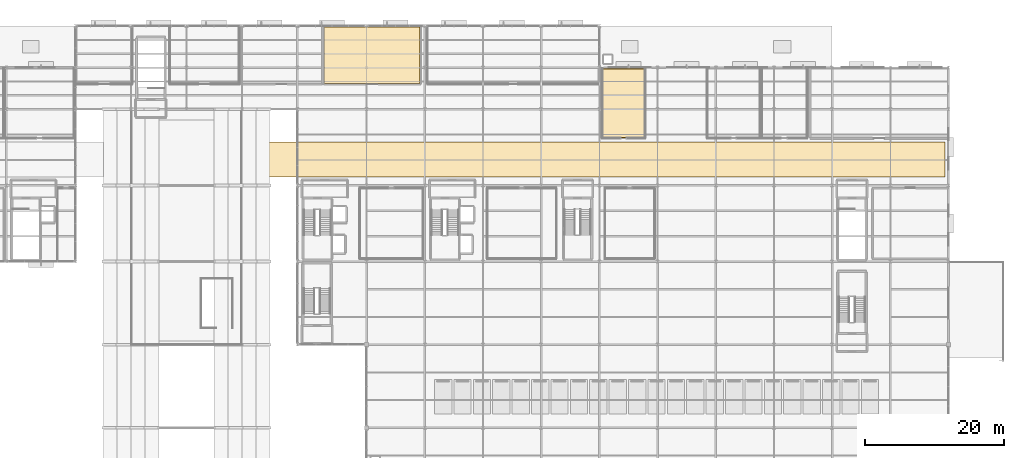
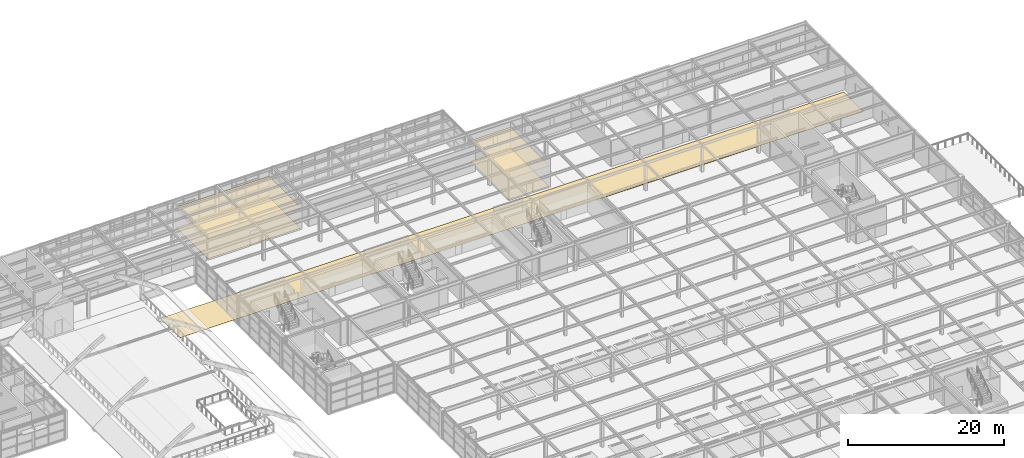
# One storey, part 79 of 82: 5 coverings.
"""IFC4 building model written with IfcOpenShell, lengths in metres."""

from ifc_helpers import new_model, si_unit, direction, frame, origin, place, context, subcontext, project, spatial, polyline, outline, extrude, material, layer, layer_set, type_object, element, save


model = new_model("IFC4")

# Units and contexts
model_context = context("Model", 3, precision=1e-05, world=origin(), true_north=direction((0.0, 1.0)))
body_context = subcontext(model_context, "Body", "Model", "MODEL_VIEW")
ifc_project = project(units=[si_unit("LENGTHUNIT", "METRE"), si_unit("AREAUNIT", "SQUARE_METRE"), si_unit("VOLUMEUNIT", "CUBIC_METRE"), si_unit("PLANEANGLEUNIT", "RADIAN"), si_unit("MASSUNIT", "GRAM", prefix="KILO")], contexts=[model_context])

# Site, building, storey
site_placement = place(None, origin())
site = spatial("IfcSite", under=ifc_project, at=site_placement, CompositionType="ELEMENT")
building_placement = place(site_placement, origin())
building = spatial("IfcBuilding", under=site, at=building_placement, Name="Sitalva Quay Ferry Terminal", CompositionType="ELEMENT")
storey_placement = place(building_placement, frame((0.0, 0.0, 5.39990234375)))
storey = spatial("IfcBuildingStorey", under=building, at=storey_placement, Name="L02", CompositionType="ELEMENT", Elevation=5.39990234375)

# Coverings
ifc_material_1 = material(Name="Perforated Marine Aluminium Acoustic Ceiling", Category="aluminium")
ifc_layer_1 = layer(ifc_material_1, 0.0400390625)
ifc_layer_set_1 = layer_set([ifc_layer_1], Name="Perforated Marine Aluminium Acoustic Ceiling")
covering_type_1 = type_object("IfcCoveringType", Name="Ceiling_AcousticBaffle_40", PredefinedType="CEILING", material=ifc_layer_set_1)
covering_1_placement = place(storey_placement, frame((0.0, 0.0, 3.210205078125)))
element("IfcCovering", 1, at=covering_1_placement, inside=storey, type_object=covering_type_1, Name="Family & Mothers Quiet Lounge ceiling", PredefinedType="CEILING", context=body_context, shape_type="SweptSolid", body=[
    extrude(outline(polyline([(77.882568359375, 103.6826171875), (91.717529296875, 103.6826171875), (91.717529296875, 111.8798828125), (77.882568359375, 111.8798828125), (77.882568359375, 103.6826171875)])), origin(), (0.0, 0.0, 1.0), 0.039794921875),
])
ifc_material_2 = material(Name="Moisture-Resistant Acoustic Gypsum Ceiling", Category="gypsum")
ifc_layer_2 = layer(ifc_material_2, 0.02490234375)
ifc_layer_set_2 = layer_set([ifc_layer_2], Name="Moisture-Resistant Acoustic Gypsum Ceiling")
covering_type_2 = type_object("IfcCoveringType", Name="Ceiling_GypsumMoisture_25", PredefinedType="CEILING", material=ifc_layer_set_2)
covering_2_placement = place(storey_placement, frame((0.0, 0.0, 3.22509765625)))
element("IfcCovering", 2, at=covering_2_placement, inside=storey, type_object=covering_type_2, Name="L02 East Male Toilets ceiling", PredefinedType="CEILING", context=body_context, shape_type="SweptSolid", body=[
    extrude(outline(polyline([(118.070068359375, 95.8701171875), (124.1298828125, 95.8701171875), (124.1298828125, 105.8798828125), (118.070068359375, 105.8798828125), (118.070068359375, 95.8701171875)])), origin(), (0.0, 0.0, 1.0), 0.02490234375),
])
ifc_material_3 = material(Name="Anti-Slip Porcelain Tile", Category="ceramic")
ifc_layer_3 = layer(ifc_material_3, 0.02001953125)
ifc_layer_set_3 = layer_set([ifc_layer_3], Name="Anti-Slip Porcelain Tile")
covering_type_3 = type_object("IfcCoveringType", Name="Finish_CeramicWet_20", PredefinedType="FLOORING", material=ifc_layer_set_3)
covering_3_placement = place(storey_placement, origin())
element("IfcCovering", 3, at=covering_3_placement, inside=storey, type_object=covering_type_3, Name="L02 East Male Toilets floor finish", PredefinedType="FLOORING", context=body_context, shape_type="SweptSolid", body=[
    extrude(outline(polyline([(118.1201171875, 95.919921875), (124.080078125, 95.919921875), (124.080078125, 105.830078125), (118.1201171875, 105.830078125), (118.1201171875, 95.919921875)])), origin(), (0.0, 0.0, 1.0), 0.02001953125),
])
ifc_material_4 = material(Name="Flamed Non-Slip Granite Paving", Category="masonry")
ifc_layer_4 = layer(ifc_material_4, 0.034912109375)
ifc_layer_set_4 = layer_set([ifc_layer_4], Name="Flamed Non-Slip Granite Paving")
covering_type_4 = type_object("IfcCoveringType", Name="Finish_Granite_35", PredefinedType="FLOORING", material=ifc_layer_set_4)
covering_4_placement = place(storey_placement, origin())
element("IfcCovering", 4, at=covering_4_placement, inside=storey, type_object=covering_type_4, Name="L02 East Passenger & Staff Gallery Corridor flooring", PredefinedType="FLOORING", context=body_context, shape_type="SweptSolid", body=[
    extrude(outline(polyline([(66.0, 90.199951171875), (167.449951171875, 90.199951171875), (167.449951171875, 95.25), (66.0, 95.25), (66.0, 90.199951171875)])), origin(), (0.0, 0.0, 1.0), 0.03515625),
])
ifc_material_5 = material(Name="Polished River-Stone Terrazzo", Category="masonry")
ifc_layer_5 = layer(ifc_material_5, 0.030029296875)
ifc_layer_set_5 = layer_set([ifc_layer_5], Name="Polished River-Stone Terrazzo")
covering_type_5 = type_object("IfcCoveringType", Name="Finish_Terrazzo_30", PredefinedType="FLOORING", material=ifc_layer_set_5)
covering_5_placement = place(storey_placement, origin())
element("IfcCovering", 5, at=covering_5_placement, inside=storey, type_object=covering_type_5, Name="Family & Mothers Quiet Lounge floor finish", PredefinedType="FLOORING", context=body_context, shape_type="SweptSolid", body=[
    extrude(outline(polyline([(77.9326171875, 103.732421875), (91.66748046875, 103.732421875), (91.66748046875, 111.830078125), (77.9326171875, 111.830078125), (77.9326171875, 103.732421875)])), origin(), (0.0, 0.0, 1.0), 0.030029296875),
])

save(model, "model.ifc")
